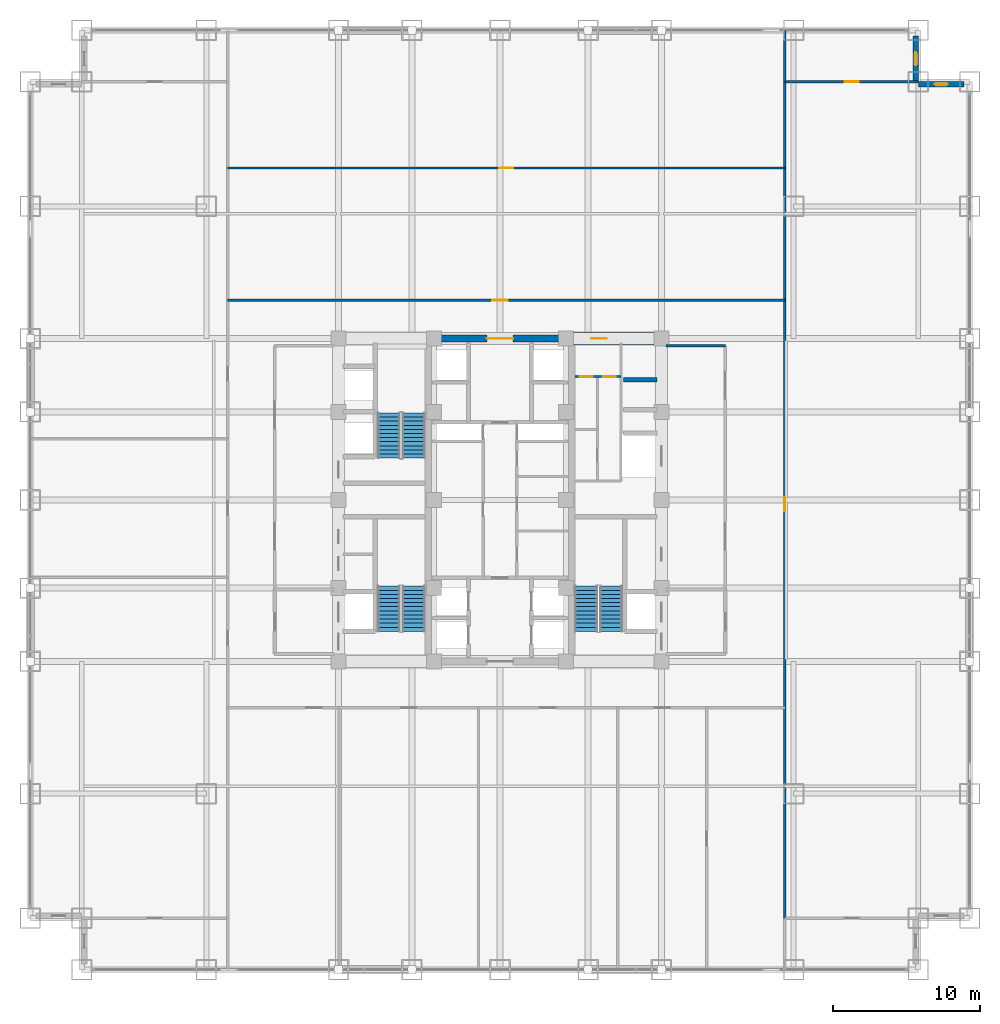
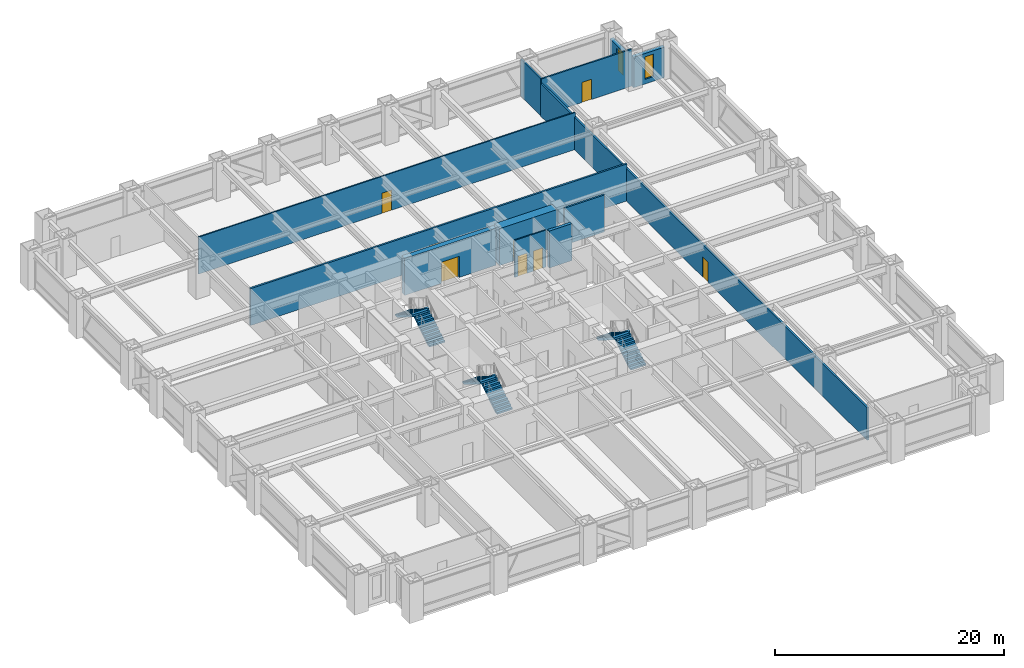
# One storey, part 26 of 27: 12 walls, 8 doors, 6 stair flights, 2 windows, 10 openings, 3 elements without a shape of their own.
"""IFC4 building model written with IfcOpenShell, lengths in metres."""

from ifc_helpers import new_model, si_unit, direction, frame, frame_2d, origin, place, context, subcontext, project, spatial, polyline, rectangle, outline, extrude, source, transform, mapped, material, layer, layer_set, type_object, element, fill, aggregate, save


model = new_model("IFC4")

# Units and contexts
model_context = context("Model", 3, precision=1e-05, world=origin(), true_north=direction((0.0, 1.0)))
body_context = subcontext(model_context, "Body", "Model", "MODEL_VIEW")
ifc_project = project(units=[si_unit("LENGTHUNIT", "METRE"), si_unit("AREAUNIT", "SQUARE_METRE"), si_unit("VOLUMEUNIT", "CUBIC_METRE"), si_unit("PLANEANGLEUNIT", "RADIAN"), si_unit("MASSUNIT", "GRAM", prefix="KILO")], contexts=[model_context])

# Site, building, storey
site_placement = place(None, origin())
site = spatial("IfcSite", under=ifc_project, at=site_placement, CompositionType="ELEMENT")
building_placement = place(site_placement, origin())
building = spatial("IfcBuilding", under=site, at=building_placement, Name="Khorayat Bourse Tower", CompositionType="ELEMENT")
storey_placement = place(building_placement, frame((0.0, 0.0, 53.60009765625)))
storey = spatial("IfcBuildingStorey", under=building, at=storey_placement, Name="L11", CompositionType="ELEMENT", Elevation=53.60009765625)

# Wall, opening, door
ifc_material_1 = material(Name="Concrete C72/90", Category="concrete")
ifc_layer_1 = layer(ifc_material_1, 0.89990234375)
ifc_layer_set_1 = layer_set([ifc_layer_1], Name="Concrete C72/90")
wall_type_1 = type_object("IfcWallType", Name="WAL-CORE-900", PredefinedType="SHEAR", material=ifc_layer_set_1)
shared_shape_1 = source(origin(), body_context, "Body", "SweptSolid", [
    extrude(rectangle(XDim=5.849853515625, YDim=0.89990234375, at=frame_2d((2.9248046875, 0.0))), origin(), (0.0, 0.0, 1.0), 3.93994140625),
])
wall_1_placement = place(storey_placement, frame((4.85009765625, 11.0, 0.0), z_axis=(0.0, 0.0, 1.0), x_axis=(1.0, 0.0, 0.0)))
wall_1 = element("IfcWall", 1, at=wall_1_placement, inside=storey, type_object=wall_type_1, Name="L11 Core Shear Wall PIER-EN", PredefinedType="SHEAR", context=body_context, shape_type="MappedRepresentation", body=[
    mapped(shared_shape_1, transform((0.0, 0.0, 0.0), scale=1.0)),
])
shared_shape_2 = source(origin(), body_context, "Body", "SweptSolid", [
    extrude(rectangle(XDim=1.050048828125, YDim=2.199951171875, at=frame_2d((0.52490234375, 1.10009765625))), frame((0.0, 0.4599609375, 0.0), z_axis=(0.0, -1.0, 0.0), x_axis=(1.0, 0.0, 0.0)), (0.0, 0.0, 1.0), 0.919921875),
])
opening_1_placement = place(wall_1_placement, frame((1.375, 0.0, 0.0)))
opening_1 = element("IfcOpeningElement", 2, at=opening_1_placement, cuts=wall_1, Name="Opening DI-04", PredefinedType="OPENING", context=body_context, shape_type="MappedRepresentation", body=[
    mapped(shared_shape_2, transform((0.0, 0.0, 0.0), scale=1.0)),
])
ifc_material_2 = material(Name="Fire-rated oak veneer suite entrance door")
door_type_1 = type_object("IfcDoorType", Name="DR-INT-SUITE-1050", OperationType="NOTDEFINED", PredefinedType="DOOR", material=ifc_material_2)
shared_shape_3 = source(origin(), body_context, "Body", "SweptSolid", [
    extrude(rectangle(XDim=1.050048828125, YDim=2.199951171875, at=frame_2d((0.52490234375, 1.10009765625))), frame((0.0, 0.02490234375, 0.0), z_axis=(0.0, -1.0, 0.0), x_axis=(1.0, 0.0, 0.0)), (0.0, 0.0, 1.0), 0.050048828125),
])
door_1_placement = place(opening_1_placement, origin())
door_1 = element("IfcDoor", 3, at=door_1_placement, inside=storey, type_object=door_type_1, Name="L11 Core Washroom Lobby Door", OperationType="SINGLE_SWING_LEFT", OverallHeight=2.199951171875, OverallWidth=1.050048828125, PredefinedType="DOOR", context=body_context, shape_type="MappedRepresentation", body=[
    mapped(shared_shape_3, transform((0.0, 0.0, 0.0), scale=1.0)),
])
fill(opening_1, door_1)

ifc_material_3 = material(Name="Concrete C52/65", Category="concrete")
ifc_layer_2 = layer(ifc_material_3, 0.5)
ifc_layer_set_2 = layer_set([ifc_layer_2], Name="Concrete C52/65")
wall_type_2 = type_object("IfcWallType", Name="WAL-CORE-500", PredefinedType="SHEAR", material=ifc_layer_set_2)
shared_shape_4 = source(origin(), body_context, "Body", "SweptSolid", [
    extrude(rectangle(XDim=9.2001953125, YDim=0.5, at=frame_2d((4.60009765625, 0.0))), origin(), (0.0, 0.0, 1.0), 3.93994140625),
])
wall_2_placement = place(storey_placement, frame((-4.60009765625, 11.0, 0.0), z_axis=(0.0, 0.0, 1.0), x_axis=(1.0, 0.0, 0.0)))
wall_2 = element("IfcWall", 4, at=wall_2_placement, inside=storey, type_object=wall_type_2, Name="L11 Core Shear Wall CORE-N", PredefinedType="SHEAR", context=body_context, shape_type="MappedRepresentation", body=[
    mapped(shared_shape_4, transform((0.0, 0.0, 0.0), scale=1.0)),
])
shared_shape_5 = source(origin(), body_context, "Body", "SweptSolid", [
    extrude(rectangle(XDim=1.800048828125, YDim=2.25, at=frame_2d((0.89990234375, 1.125))), frame((0.0, 0.260009765625, 0.0), z_axis=(0.0, -1.0, 0.0), x_axis=(1.0, 0.0, 0.0)), (0.0, 0.0, 1.0), 0.52001953125),
])
opening_2_placement = place(wall_2_placement, frame((3.699951171875, 0.0, 0.0)))
opening_2 = element("IfcOpeningElement", 5, at=opening_2_placement, cuts=wall_2, Name="Opening DI-03", PredefinedType="OPENING", context=body_context, shape_type="MappedRepresentation", body=[
    mapped(shared_shape_5, transform((0.0, 0.0, 0.0), scale=1.0)),
])
ifc_material_4 = material(Name="Fire-rated hardwood vision-panel double leaf", Category="wood")
door_type_2 = type_object("IfcDoorType", Name="DR-INT-CORR-1800", OperationType="NOTDEFINED", PredefinedType="DOOR", material=ifc_material_4)
shared_shape_6 = source(origin(), body_context, "Body", "SweptSolid", [
    extrude(rectangle(XDim=1.800048828125, YDim=2.25, at=frame_2d((0.89990234375, 1.125))), frame((0.0, 0.02490234375, 0.0), z_axis=(0.0, -1.0, 0.0), x_axis=(1.0, 0.0, 0.0)), (0.0, 0.0, 1.0), 0.050048828125),
])
door_2_placement = place(opening_2_placement, origin())
door_2 = element("IfcDoor", 6, at=door_2_placement, inside=storey, type_object=door_type_2, Name="L11 Mid-Rise Lift Lobby Door", OperationType="SINGLE_SWING_RIGHT", OverallHeight=2.25, OverallWidth=1.800048828125, PredefinedType="DOOR", context=body_context, shape_type="MappedRepresentation", body=[
    mapped(shared_shape_6, transform((0.0, 0.0, 0.0), scale=1.0)),
])
fill(opening_2, door_2)

# Wall, opening, window
ifc_material_5 = material(Name="Precast concrete C45/55", Category="concrete")
ifc_layer_3 = layer(ifc_material_5, 0.3798828125)
ifc_layer_set_3 = layer_set([ifc_layer_3], Name="Precast concrete C45/55")
wall_type_3 = type_object("IfcWallType", Name="WAL-EXT-STONE-380", PredefinedType="STANDARD", material=ifc_layer_set_3)
shared_shape_7 = source(origin(), body_context, "Body", "SweptSolid", [
    extrude(rectangle(XDim=3.1201171875, YDim=0.3798828125, at=frame_2d((1.56005859375, 0.0))), origin(), (0.0, 0.0, 1.0), 3.244873046875),
])
wall_3_placement = place(storey_placement, frame((28.5, 28.31005859375, 0.0), z_axis=(0.0, 0.0, 1.0), x_axis=(1.0, 0.0, 0.0)))
wall_3 = element("IfcWall", 7, at=wall_3_placement, inside=storey, type_object=wall_type_3, Name="L11 Re-Entrant Notch Limestone Wall NE-H", PredefinedType="STANDARD", context=body_context, shape_type="MappedRepresentation", body=[
    mapped(shared_shape_7, transform((0.0, 0.0, 0.0), scale=1.0)),
])
shared_shape_8 = source(origin(), body_context, "Body", "SweptSolid", [
    extrude(rectangle(XDim=0.89990234375, YDim=2.39990234375, at=frame_2d((0.449951171875, 1.199951171875))), frame((0.0, 0.199951171875, 0.0), z_axis=(0.0, -1.0, 0.0), x_axis=(1.0, 0.0, 0.0)), (0.0, 0.0, 1.0), 0.39990234375),
])
opening_3_placement = place(wall_3_placement, frame((1.110107421875, 0.0, 0.5)))
opening_3 = element("IfcOpeningElement", 8, at=opening_3_placement, cuts=wall_3, Name="Opening WN-03", PredefinedType="OPENING", context=body_context, shape_type="MappedRepresentation", body=[
    mapped(shared_shape_8, transform((0.0, 0.0, 0.0), scale=1.0)),
])
ifc_material_6 = material(Name="Deep-reveal solar-control double glazing", Category="glass")
window_type = type_object("IfcWindowType", Name="WIN-SLOT-900x2400", PartitioningType="SINGLE_PANEL", PredefinedType="WINDOW", material=ifc_material_6)
shared_shape_9 = source(origin(), body_context, "Body", "SweptSolid", [
    extrude(rectangle(XDim=0.89990234375, YDim=2.39990234375, at=frame_2d((0.449951171875, 1.199951171875))), frame((0.0, 0.030029296875, 0.0), z_axis=(0.0, -1.0, 0.0), x_axis=(1.0, 0.0, 0.0)), (0.0, 0.0, 1.0), 0.06005859375),
])
window_1_placement = place(opening_3_placement, origin())
window_1 = element("IfcWindow", 9, at=window_1_placement, inside=storey, type_object=window_type, Name="L11 Facade Window 1", OverallHeight=2.39990234375, OverallWidth=0.89990234375, PartitioningType="SINGLE_PANEL", PredefinedType="WINDOW", context=body_context, shape_type="MappedRepresentation", body=[
    mapped(shared_shape_9, transform((0.0, 0.0, 0.0), scale=1.0)),
])
fill(opening_3, window_1)

wall_4_placement = place(storey_placement, frame((28.31005859375, 28.5, 0.0), z_axis=(0.0, 0.0, 1.0), x_axis=(0.0, 1.0, 0.0)))
wall_4 = element("IfcWall", 10, at=wall_4_placement, inside=storey, type_object=wall_type_3, Name="L11 Re-Entrant Notch Limestone Wall NE-V", PredefinedType="STANDARD", context=body_context, shape_type="MappedRepresentation", body=[
    mapped(shared_shape_7, transform((0.0, 0.0, 0.0), scale=1.0)),
])
opening_4_placement = place(wall_4_placement, frame((1.110107421875, 0.0, 0.5)))
opening_4 = element("IfcOpeningElement", 11, at=opening_4_placement, cuts=wall_4, Name="Opening WN-03", PredefinedType="OPENING", context=body_context, shape_type="MappedRepresentation", body=[
    mapped(shared_shape_8, transform((0.0, 0.0, 0.0), scale=1.0)),
])
window_2_placement = place(opening_4_placement, origin())
window_2 = element("IfcWindow", 12, at=window_2_placement, inside=storey, type_object=window_type, Name="L11 Facade Window 1", OverallHeight=2.39990234375, OverallWidth=0.89990234375, PartitioningType="SINGLE_PANEL", PredefinedType="WINDOW", context=body_context, shape_type="MappedRepresentation", body=[
    mapped(shared_shape_9, transform((0.0, 0.0, 0.0), scale=1.0)),
])
fill(opening_4, window_2)

# Wall
ifc_material_7 = material(Name="Concrete C50/60", Category="concrete")
ifc_layer_4 = layer(ifc_material_7, 0.300048828125)
ifc_layer_set_4 = layer_set([ifc_layer_4], Name="Concrete C50/60")
wall_type_4 = type_object("IfcWallType", Name="WAL-SHAFT-300", PredefinedType="SHEAR", material=ifc_layer_set_4)
shared_shape_10 = source(origin(), body_context, "Body", "SweptSolid", [
    extrude(rectangle(XDim=2.300048828125, YDim=0.300048828125, at=frame_2d((1.14990234375, 0.0))), origin(), (0.0, 0.0, 1.0), 3.93994140625),
])
wall_5_placement = place(storey_placement, frame((8.39990234375, 8.199951171875, 0.0), z_axis=(0.0, 0.0, 1.0), x_axis=(1.0, 0.0, 0.0)))
element("IfcWall", 13, at=wall_5_placement, inside=storey, type_object=wall_type_4, Name="L11 Partition WAL-L11-EPIER-H34", PredefinedType="SHEAR", context=body_context, shape_type="MappedRepresentation", body=[
    mapped(shared_shape_10, transform((0.0, 0.0, 0.0), scale=1.0)),
])

# Wall, openings, doors
ifc_material_8 = material(Name="Moisture-resistant masonry partition", Category="masonry")
ifc_layer_5 = layer(ifc_material_8, 0.139892578125)
ifc_layer_set_5 = layer_set([ifc_layer_5], Name="Moisture-resistant masonry partition")
wall_type_5 = type_object("IfcWallType", Name="WAL-PART-WET-140", PredefinedType="PARTITIONING", material=ifc_layer_set_5)
shared_shape_11 = source(origin(), body_context, "Body", "SweptSolid", [
    extrude(rectangle(XDim=3.14990234375, YDim=0.139892578125, at=frame_2d((1.574951171875, 0.0))), origin(), (0.0, 0.0, 1.0), 3.93994140625),
])
wall_6_placement = place(storey_placement, frame((5.10009765625, 8.39990234375, 0.0), z_axis=(0.0, 0.0, 1.0), x_axis=(1.0, 0.0, 0.0)))
wall_6 = element("IfcWall", 14, at=wall_6_placement, inside=storey, type_object=wall_type_5, Name="L11 Partition WAL-L11-ECW-TOP", PredefinedType="PARTITIONING", context=body_context, shape_type="MappedRepresentation", body=[
    mapped(shared_shape_11, transform((0.0, 0.0, 0.0), scale=1.0)),
])
shared_shape_12 = source(origin(), body_context, "Body", "SweptSolid", [
    extrude(rectangle(XDim=0.89990234375, YDim=2.14990234375, at=frame_2d((0.449951171875, 1.074951171875))), frame((0.0, 0.079833984375, 0.0), z_axis=(0.0, -1.0, 0.0), x_axis=(1.0, 0.0, 0.0)), (0.0, 0.0, 1.0), 0.159912109375),
])
opening_5_placement = place(wall_6_placement, frame((0.330078125, 0.0, 0.0)))
opening_5 = element("IfcOpeningElement", 15, at=opening_5_placement, cuts=wall_6, Name="Opening DI-06", PredefinedType="OPENING", context=body_context, shape_type="MappedRepresentation", body=[
    mapped(shared_shape_12, transform((0.0, 0.0, 0.0), scale=1.0)),
])
opening_6_placement = place(wall_6_placement, frame((1.89990234375, 0.0, 0.0)))
opening_6 = element("IfcOpeningElement", 16, at=opening_6_placement, cuts=wall_6, Name="Opening DI-06", PredefinedType="OPENING", context=body_context, shape_type="MappedRepresentation", body=[
    mapped(shared_shape_12, transform((0.0, 0.0, 0.0), scale=1.0)),
])
ifc_material_9 = material(Name="Moisture-resistant laminate washroom door")
door_type_3 = type_object("IfcDoorType", Name="DR-INT-WC-900", OperationType="NOTDEFINED", PredefinedType="DOOR", material=ifc_material_9)
shared_shape_13 = source(origin(), body_context, "Body", "SweptSolid", [
    extrude(rectangle(XDim=0.89990234375, YDim=2.14990234375, at=frame_2d((0.449951171875, 1.074951171875))), frame((0.0, 0.02490234375, 0.0), z_axis=(0.0, -1.0, 0.0), x_axis=(1.0, 0.0, 0.0)), (0.0, 0.0, 1.0), 0.050048828125),
])
door_3_placement = place(opening_5_placement, origin())
door_3 = element("IfcDoor", 17, at=door_3_placement, inside=storey, type_object=door_type_3, Name="L11 Accessible WC Door", OperationType="SINGLE_SWING_LEFT", OverallHeight=2.14990234375, OverallWidth=0.89990234375, PredefinedType="DOOR", context=body_context, shape_type="MappedRepresentation", body=[
    mapped(shared_shape_13, transform((0.0, 0.0, 0.0), scale=1.0)),
])
fill(opening_5, door_3)
door_4_placement = place(opening_6_placement, origin())
door_4 = element("IfcDoor", 18, at=door_4_placement, inside=storey, type_object=door_type_3, Name="L11 Shared Washroom Door", OperationType="SINGLE_SWING_RIGHT", OverallHeight=2.14990234375, OverallWidth=0.89990234375, PredefinedType="DOOR", context=body_context, shape_type="MappedRepresentation", body=[
    mapped(shared_shape_13, transform((0.0, 0.0, 0.0), scale=1.0)),
])
fill(opening_6, door_4)

# Walls
ifc_material_10 = material(Name="Gypsum plasterboard acoustic stud wall")
ifc_layer_6 = layer(ifc_material_10, 0.179931640625)
ifc_layer_set_6 = layer_set([ifc_layer_6], Name="Gypsum plasterboard acoustic stud wall")
wall_type_6 = type_object("IfcWallType", Name="WAL-PART-CORR-180", PredefinedType="PARTITIONING", material=ifc_layer_set_6)
shared_shape_14 = source(origin(), body_context, "Body", "SweptSolid", [
    extrude(rectangle(XDim=4.050048828125, YDim=0.179931640625, at=frame_2d((2.02490234375, 0.0))), origin(), (0.0, 0.0, 1.0), 3.93994140625),
])
wall_7_placement = place(storey_placement, frame((11.300048828125, 10.5, 0.0), z_axis=(0.0, 0.0, 1.0), x_axis=(1.0, 0.0, 0.0)))
element("IfcWall", 19, at=wall_7_placement, inside=storey, type_object=wall_type_6, Name="L11 Partition WAL-L11-ELOB-N", PredefinedType="PARTITIONING", context=body_context, shape_type="MappedRepresentation", body=[
    mapped(shared_shape_14, transform((0.0, 0.0, 0.0), scale=1.0)),
])
ifc_material_11 = material(Name="Gypsum plasterboard twin-frame partition")
ifc_layer_7 = layer(ifc_material_11, 0.14990234375)
ifc_layer_set_7 = layer_set([ifc_layer_7], Name="Gypsum plasterboard twin-frame partition")
wall_type_7 = type_object("IfcWallType", Name="WAL-PART-SUITE-150", PredefinedType="PARTITIONING", material=ifc_layer_set_7)
shared_shape_15 = source(origin(), body_context, "Body", "SweptSolid", [
    extrude(rectangle(XDim=3.5, YDim=0.14990234375, at=frame_2d((1.75, 0.0))), origin(), (0.0, 0.0, 1.0), 3.93994140625),
])
wall_8_placement = place(storey_placement, frame((19.39990234375, 28.5, 0.0), z_axis=(0.0, 0.0, 1.0), x_axis=(0.0, 1.0, 0.0)))
element("IfcWall", 20, at=wall_8_placement, inside=storey, type_object=wall_type_7, Name="L11 Partition WAL-L11-NCE-END", PredefinedType="PARTITIONING", context=body_context, shape_type="MappedRepresentation", body=[
    mapped(shared_shape_15, transform((0.0, 0.0, 0.0), scale=1.0)),
])

# Wall, opening, door
shared_shape_16 = source(origin(), body_context, "Body", "SweptSolid", [
    extrude(rectangle(XDim=37.949951171875, YDim=0.179931640625, at=frame_2d((18.97509765625, 0.0))), origin(), (0.0, 0.0, 1.0), 3.93994140625),
])
wall_9_placement = place(storey_placement, frame((-18.550048828125, 13.60009765625, 0.0), z_axis=(0.0, 0.0, 1.0), x_axis=(1.0, 0.0, 0.0)))
wall_9 = element("IfcWall", 21, at=wall_9_placement, inside=storey, type_object=wall_type_6, Name="L11 Partition WAL-L11-NCORR", PredefinedType="PARTITIONING", context=body_context, shape_type="MappedRepresentation", body=[
    mapped(shared_shape_16, transform((0.0, 0.0, 0.0), scale=1.0)),
])
shared_shape_17 = source(origin(), body_context, "Body", "SweptSolid", [
    extrude(rectangle(XDim=1.050048828125, YDim=2.199951171875, at=frame_2d((0.52490234375, 1.10009765625))), frame((0.0, 0.099853515625, 0.0), z_axis=(0.0, -1.0, 0.0), x_axis=(1.0, 0.0, 0.0)), (0.0, 0.0, 1.0), 0.199951171875),
])
opening_7_placement = place(wall_9_placement, frame((18.02490234375, 0.0, 0.0)))
opening_7 = element("IfcOpeningElement", 22, at=opening_7_placement, cuts=wall_9, Name="Opening DI-04", PredefinedType="OPENING", context=body_context, shape_type="MappedRepresentation", body=[
    mapped(shared_shape_17, transform((0.0, 0.0, 0.0), scale=1.0)),
])
door_5_placement = place(opening_7_placement, origin())
door_5 = element("IfcDoor", 23, at=door_5_placement, inside=storey, type_object=door_type_1, Name="L11 Members Exchange Lounge N1 Door", OperationType="SINGLE_SWING_RIGHT", OverallHeight=2.199951171875, OverallWidth=1.050048828125, PredefinedType="DOOR", context=body_context, shape_type="MappedRepresentation", body=[
    mapped(shared_shape_3, transform((0.0, 0.0, 0.0), scale=1.0)),
])
fill(opening_7, door_5)

ifc_material_12 = material(Name="Gypsum plasterboard partition")
ifc_layer_8 = layer(ifc_material_12, 0.125)
ifc_layer_set_8 = layer_set([ifc_layer_8], Name="Gypsum plasterboard partition")
wall_type_8 = type_object("IfcWallType", Name="WAL-PART-ROOM-125", PredefinedType="PARTITIONING", material=ifc_layer_set_8)
shared_shape_18 = source(origin(), body_context, "Body", "SweptSolid", [
    extrude(rectangle(XDim=37.949951171875, YDim=0.125, at=frame_2d((18.97509765625, 0.0))), origin(), (0.0, 0.0, 1.0), 3.93994140625),
])
wall_10_placement = place(storey_placement, frame((-18.550048828125, 22.615966796875, 0.0), z_axis=(0.0, 0.0, 1.0), x_axis=(1.0, 0.0, 0.0)))
wall_10 = element("IfcWall", 24, at=wall_10_placement, inside=storey, type_object=wall_type_8, Name="L11 Partition WAL-L11-NDP-1", PredefinedType="PARTITIONING", context=body_context, shape_type="MappedRepresentation", body=[
    mapped(shared_shape_18, transform((0.0, 0.0, 0.0), scale=1.0)),
])
shared_shape_19 = source(origin(), body_context, "Body", "SweptSolid", [
    extrude(rectangle(XDim=0.949951171875, YDim=2.14990234375, at=frame_2d((0.47509765625, 1.074951171875))), frame((0.0, 0.072509765625, 0.0), z_axis=(0.0, -1.0, 0.0), x_axis=(1.0, 0.0, 0.0)), (0.0, 0.0, 1.0), 0.14501953125),
])
opening_8_placement = place(wall_10_placement, frame((18.5, 0.0, 0.0)))
opening_8 = element("IfcOpeningElement", 25, at=opening_8_placement, cuts=wall_10, Name="Opening DI-05", PredefinedType="OPENING", context=body_context, shape_type="MappedRepresentation", body=[
    mapped(shared_shape_19, transform((0.0, 0.0, 0.0), scale=1.0)),
])
ifc_material_13 = material(Name="Acoustic oak veneer office door")
door_type_4 = type_object("IfcDoorType", Name="DR-INT-OFFICE-950", OperationType="NOTDEFINED", PredefinedType="DOOR", material=ifc_material_13)
shared_shape_20 = source(origin(), body_context, "Body", "SweptSolid", [
    extrude(rectangle(XDim=0.949951171875, YDim=2.14990234375, at=frame_2d((0.47509765625, 1.074951171875))), frame((0.0, 0.02490234375, 0.0), z_axis=(0.0, -1.0, 0.0), x_axis=(1.0, 0.0, 0.0)), (0.0, 0.0, 1.0), 0.050048828125),
])
door_6_placement = place(opening_8_placement, origin())
door_6 = element("IfcDoor", 26, at=door_6_placement, inside=storey, type_object=door_type_4, Name="L11 Staff Tea Pantry N1B Door", OperationType="SINGLE_SWING_RIGHT", OverallHeight=2.14990234375, OverallWidth=0.949951171875, PredefinedType="DOOR", context=body_context, shape_type="MappedRepresentation", body=[
    mapped(shared_shape_20, transform((0.0, 0.0, 0.0), scale=1.0)),
])
fill(opening_8, door_6)

shared_shape_21 = source(origin(), body_context, "Body", "SweptSolid", [
    extrude(rectangle(XDim=57.0, YDim=0.179931640625, at=frame_2d((28.5, 0.0))), origin(), (0.0, 0.0, 1.0), 3.470947265625),
])
wall_11_placement = place(storey_placement, frame((19.39990234375, -28.5, 0.0), z_axis=(0.0, 0.0, 1.0), x_axis=(0.0, 1.0, 0.0)))
wall_11 = element("IfcWall", 27, at=wall_11_placement, inside=storey, type_object=wall_type_6, Name="L11 Partition WAL-L11-ECORR", PredefinedType="PARTITIONING", context=body_context, shape_type="MappedRepresentation", body=[
    mapped(shared_shape_21, transform((0.0, 0.0, 0.0), scale=1.0)),
])
shared_shape_22 = source(origin(), body_context, "Body", "SweptSolid", [
    extrude(rectangle(XDim=0.949951171875, YDim=2.14990234375, at=frame_2d((0.47509765625, 1.074951171875))), frame((0.0, 0.099853515625, 0.0), z_axis=(0.0, -1.0, 0.0), x_axis=(1.0, 0.0, 0.0)), (0.0, 0.0, 1.0), 0.199951171875),
])
opening_9_placement = place(wall_11_placement, frame((27.75, 0.0, 0.0)))
opening_9 = element("IfcOpeningElement", 28, at=opening_9_placement, cuts=wall_11, Name="Opening DI-05", PredefinedType="OPENING", context=body_context, shape_type="MappedRepresentation", body=[
    mapped(shared_shape_22, transform((0.0, 0.0, 0.0), scale=1.0)),
])
door_7_placement = place(opening_9_placement, origin())
door_7 = element("IfcDoor", 29, at=door_7_placement, inside=storey, type_object=door_type_4, Name="L11 Executive Boardroom E1 Door", OperationType="SINGLE_SWING_RIGHT", OverallHeight=2.14990234375, OverallWidth=0.949951171875, PredefinedType="DOOR", context=body_context, shape_type="MappedRepresentation", body=[
    mapped(shared_shape_20, transform((0.0, 0.0, 0.0), scale=1.0)),
])
fill(opening_9, door_7)

shared_shape_23 = source(origin(), body_context, "Body", "SweptSolid", [
    extrude(rectangle(XDim=9.10009765625, YDim=0.14990234375, at=frame_2d((4.550048828125, 0.0))), origin(), (0.0, 0.0, 1.0), 3.93994140625),
])
wall_12_placement = place(storey_placement, frame((19.39990234375, 28.5, 0.0), z_axis=(0.0, 0.0, 1.0), x_axis=(1.0, 0.0, 0.0)))
wall_12 = element("IfcWall", 30, at=wall_12_placement, inside=storey, type_object=wall_type_7, Name="L11 Partition WAL-L11-CNE", PredefinedType="PARTITIONING", context=body_context, shape_type="MappedRepresentation", body=[
    mapped(shared_shape_23, transform((0.0, 0.0, 0.0), scale=1.0)),
])
shared_shape_24 = source(origin(), body_context, "Body", "SweptSolid", [
    extrude(rectangle(XDim=0.949951171875, YDim=2.14990234375, at=frame_2d((0.47509765625, 1.074951171875))), frame((0.0, 0.0849609375, 0.0), z_axis=(0.0, -1.0, 0.0), x_axis=(1.0, 0.0, 0.0)), (0.0, 0.0, 1.0), 0.169921875),
])
opening_10_placement = place(wall_12_placement, frame((4.074951171875, 0.0, 0.0)))
opening_10 = element("IfcOpeningElement", 31, at=opening_10_placement, cuts=wall_12, Name="Opening DI-05", PredefinedType="OPENING", context=body_context, shape_type="MappedRepresentation", body=[
    mapped(shared_shape_24, transform((0.0, 0.0, 0.0), scale=1.0)),
])
door_8_placement = place(opening_10_placement, origin())
door_8 = element("IfcDoor", 32, at=door_8_placement, inside=storey, type_object=door_type_4, Name="L11 North-East Corner Lounge Door", OperationType="SINGLE_SWING_LEFT", OverallHeight=2.14990234375, OverallWidth=0.949951171875, PredefinedType="DOOR", context=body_context, shape_type="MappedRepresentation", body=[
    mapped(shared_shape_20, transform((0.0, 0.0, 0.0), scale=1.0)),
])
fill(opening_10, door_8)

# Stair, stair flights
ifc_material_14 = material(Name="Concrete C40/50", Category="concrete")
stair_type = type_object("IfcStairType", Name="STR-CORE-1550", PredefinedType="HALF_TURN_STAIR", material=ifc_material_14)
stair_1_placement = place(storey_placement, origin())
stair_1 = element("IfcStair", 33, at=stair_1_placement, inside=storey, type_object=stair_type, Name="L11 Exit Stair ST-1", PredefinedType="HALF_TURN_STAIR")
stair_flight_type = type_object("IfcStairFlightType", Name="FLT-CORE-1550", PredefinedType="STRAIGHT", material=ifc_material_14)
shared_shape_25 = source(origin(), body_context, "Body", "SweptSolid", [
    extrude(outline(polyline([(0.0, 0.0), (0.0, 0.175048828125), (0.280029296875, 0.175048828125), (0.280029296875, 0.35009765625), (0.56005859375, 0.35009765625), (0.56005859375, 0.52490234375), (0.840087890625, 0.52490234375), (0.840087890625, 0.699951171875), (1.1201171875, 0.699951171875), (1.1201171875, 0.875), (1.39990234375, 0.875), (1.39990234375, 1.050048828125), (1.679931640625, 1.050048828125), (1.679931640625, 1.22509765625), (1.9599609375, 1.22509765625), (1.9599609375, 1.39990234375), (2.239990234375, 1.39990234375), (2.239990234375, 1.574951171875), (2.52001953125, 1.574951171875), (2.52001953125, 1.75), (2.800048828125, 1.75), (2.800048828125, 1.925048828125), (3.080078125, 1.925048828125), (3.080078125, 2.10009765625), (3.080078125, 1.712890625), (0.339599609375, 0.0), (0.0, 0.0)])), frame((0.0, 0.77490234375, 0.0), z_axis=(0.0, -1.0, 0.0), x_axis=(1.0, 0.0, 0.0)), (0.0, 0.0, 1.0), 1.550048828125),
])
stair_flight_1_placement = place(storey_placement, frame((-5.875, -8.949951171875, 0.0), z_axis=(0.0, 0.0, 1.0), x_axis=(0.0, 1.0, 0.0)))
stair_flight_1 = element("IfcStairFlight", 34, at=stair_flight_1_placement, type_object=stair_flight_type, Name="ST-1 flight 1", NumberOfRisers=12, NumberOfTreads=11, PredefinedType="STRAIGHT", RiserHeight=0.175, TreadLength=0.28, context=body_context, shape_type="MappedRepresentation", body=[
    mapped(shared_shape_25, transform((0.0, 0.0, 0.0), scale=1.0)),
])
stair_flight_2_placement = place(storey_placement, frame((-7.574951171875, -5.8701171875, 2.099853515625), z_axis=(0.0, 0.0, 1.0), x_axis=(0.0, -1.0, 0.0)))
stair_flight_2 = element("IfcStairFlight", 35, at=stair_flight_2_placement, type_object=stair_flight_type, Name="ST-1 flight 2", NumberOfRisers=12, NumberOfTreads=11, PredefinedType="STRAIGHT", RiserHeight=0.175, TreadLength=0.28, context=body_context, shape_type="MappedRepresentation", body=[
    mapped(shared_shape_25, transform((0.0, 0.0, 0.0), scale=1.0)),
])
aggregate(stair_1, [stair_flight_1, stair_flight_2])

stair_2_placement = place(storey_placement, origin())
stair_2 = element("IfcStair", 36, at=stair_2_placement, inside=storey, type_object=stair_type, Name="L11 Exit Stair ST-2", PredefinedType="HALF_TURN_STAIR")
stair_flight_3_placement = place(storey_placement, frame((-5.875, 2.85009765625, 0.0), z_axis=(0.0, 0.0, 1.0), x_axis=(0.0, 1.0, 0.0)))
stair_flight_3 = element("IfcStairFlight", 37, at=stair_flight_3_placement, type_object=stair_flight_type, Name="ST-2 flight 1", NumberOfRisers=12, NumberOfTreads=11, PredefinedType="STRAIGHT", RiserHeight=0.175, TreadLength=0.28, context=body_context, shape_type="MappedRepresentation", body=[
    mapped(shared_shape_25, transform((0.0, 0.0, 0.0), scale=1.0)),
])
stair_flight_4_placement = place(storey_placement, frame((-7.574951171875, 5.929931640625, 2.099853515625), z_axis=(0.0, 0.0, 1.0), x_axis=(0.0, -1.0, 0.0)))
stair_flight_4 = element("IfcStairFlight", 38, at=stair_flight_4_placement, type_object=stair_flight_type, Name="ST-2 flight 2", NumberOfRisers=12, NumberOfTreads=11, PredefinedType="STRAIGHT", RiserHeight=0.175, TreadLength=0.28, context=body_context, shape_type="MappedRepresentation", body=[
    mapped(shared_shape_25, transform((0.0, 0.0, 0.0), scale=1.0)),
])
aggregate(stair_2, [stair_flight_3, stair_flight_4])

stair_3_placement = place(storey_placement, origin())
stair_3 = element("IfcStair", 39, at=stair_3_placement, inside=storey, type_object=stair_type, Name="L11 Exit Stair ST-3", PredefinedType="HALF_TURN_STAIR")
stair_flight_5_placement = place(storey_placement, frame((7.574951171875, -8.949951171875, 0.0), z_axis=(0.0, 0.0, 1.0), x_axis=(0.0, 1.0, 0.0)))
stair_flight_5 = element("IfcStairFlight", 40, at=stair_flight_5_placement, type_object=stair_flight_type, Name="ST-3 flight 1", NumberOfRisers=12, NumberOfTreads=11, PredefinedType="STRAIGHT", RiserHeight=0.175, TreadLength=0.28, context=body_context, shape_type="MappedRepresentation", body=[
    mapped(shared_shape_25, transform((0.0, 0.0, 0.0), scale=1.0)),
])
stair_flight_6_placement = place(storey_placement, frame((5.875, -5.8701171875, 2.099853515625), z_axis=(0.0, 0.0, 1.0), x_axis=(0.0, -1.0, 0.0)))
stair_flight_6 = element("IfcStairFlight", 41, at=stair_flight_6_placement, type_object=stair_flight_type, Name="ST-3 flight 2", NumberOfRisers=12, NumberOfTreads=11, PredefinedType="STRAIGHT", RiserHeight=0.175, TreadLength=0.28, context=body_context, shape_type="MappedRepresentation", body=[
    mapped(shared_shape_25, transform((0.0, 0.0, 0.0), scale=1.0)),
])
aggregate(stair_3, [stair_flight_5, stair_flight_6])

save(model, "model.ifc")
